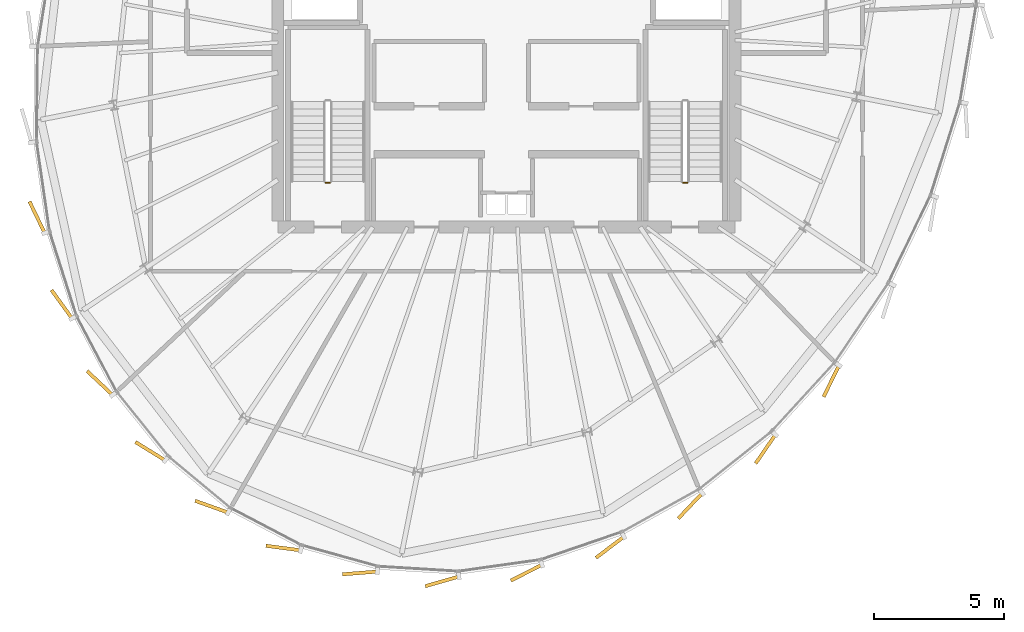
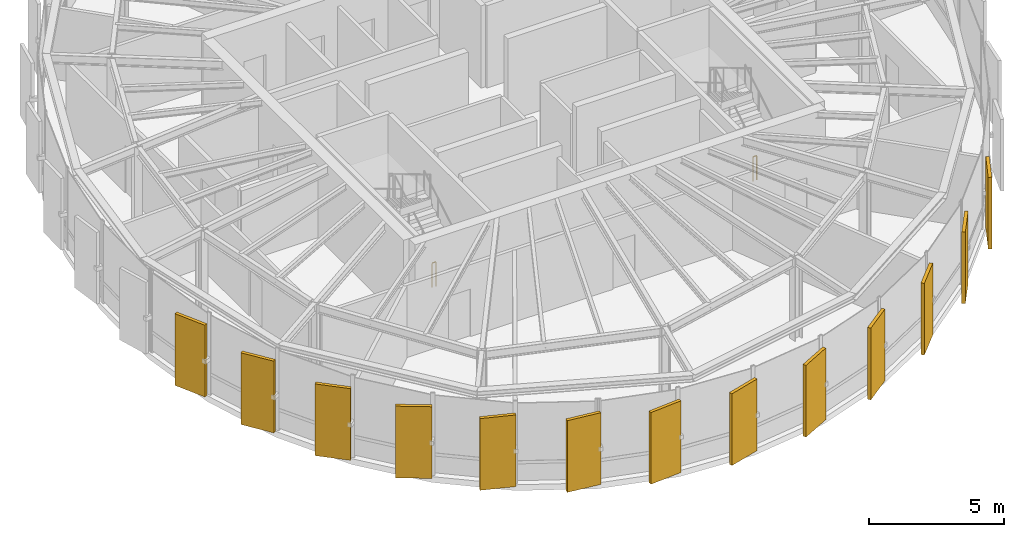
# One storey, part 25 of 27: 13 coverings, 2 railings.
"""IFC4 building model written with IfcOpenShell, lengths in metres."""

from ifc_helpers import new_model, si_unit, direction, frame, origin, origin_2d, place, context, subcontext, project, spatial, rectangle, circle, extrude, source, transform, mapped, material, layer, layer_set, type_object, element, save


model = new_model("IFC4")

# Units and contexts
model_context = context("Model", 3, precision=1e-05, world=origin(), true_north=direction((0.0, 1.0)))
body_context = subcontext(model_context, "Body", "Model", "MODEL_VIEW")
ifc_project = project(units=[si_unit("LENGTHUNIT", "METRE"), si_unit("AREAUNIT", "SQUARE_METRE"), si_unit("VOLUMEUNIT", "CUBIC_METRE"), si_unit("PLANEANGLEUNIT", "RADIAN"), si_unit("MASSUNIT", "GRAM", prefix="KILO"), si_unit("THERMODYNAMICTEMPERATUREUNIT", "KELVIN")], contexts=[model_context])

# Site, building, storey
site_placement = place(None, origin())
site = spatial("IfcSite", under=ifc_project, at=site_placement, CompositionType="ELEMENT")
building_placement = place(site_placement, origin())
building = spatial("IfcBuilding", under=site, at=building_placement, Name="Kethvar Cultural Tower", CompositionType="ELEMENT")
storey_placement = place(building_placement, frame((0.0, 0.0, 308.300048828125)))
storey = spatial("IfcBuildingStorey", under=building, at=storey_placement, Name="L82", CompositionType="ELEMENT", Elevation=308.300048828125)

# Railings
ifc_material_1 = material(Name="Steel S355J2", Category="steel")
railing_type = type_object("IfcRailingType", Name="RL-STAIR-GUARD", PredefinedType="BALUSTRADE", material=ifc_material_1)
for number, where, name in (
    (1, (40.0, 21.800048828125, 0.0), "L82 ST-01 stair guard 4"),
    (2, (53.760009765625, 21.800048828125, 0.0), "L82 ST-02 stair guard 4"),
):
    element("IfcRailing", number, at=place(storey_placement, frame(where)), inside=storey, type_object=railing_type, Name=name, PredefinedType="BALUSTRADE", context=body_context, shape_type="SweptSolid", body=[
        extrude(circle(Radius=0.02392578125, at=origin_2d()), frame((0.0, 0.0, 1.09619140625), z_axis=(-1.0, 0.0, 0.0), x_axis=(0.0, -1.0, 0.0)), (0.0, 0.0, 1.0), 0.159912109375),
        extrude(circle(Radius=0.02099609375, at=origin_2d()), origin(), (0.0, 0.0, 1.0), 1.072021484375),
        extrude(circle(Radius=0.02099609375, at=origin_2d()), frame((-0.159912109375, 0.0, 0.0)), (0.0, 0.0, 1.0), 1.072021484375),
    ])

# Coverings
ifc_material_2 = material(Name="Extruded Architectural Terracotta", Category="masonry")
ifc_layer = layer(ifc_material_2, 0.135009765625, Name="Extruded Architectural Terracotta", Category="masonry")
ifc_layer_set = layer_set([ifc_layer], Name="Extruded Architectural Terracotta (135 mm)")
covering_type = type_object("IfcCoveringType", Name="Terracotta Facade Fin FIN-03", PredefinedType="CLADDING", material=ifc_layer_set)
shared_shape = source(origin(), body_context, "Body", "SweptSolid", [
    extrude(rectangle(XDim=1.35009765625, YDim=0.135009765625, at=origin_2d()), origin(), (0.0, 0.0, 1.0), 3.25),
])
for number, where, z_axis, x_axis, name in (
    (3, (28.729736328125, 20.477783203125, 0.02001953125), (0.0, 0.0, 1.0), (-0.43428804929, 0.900774050605, 0.0), "L82 Vertical Terracotta Fin 3.2"),
    (4, (29.680419921875, 17.128662109375, 0.02001953125), (0.0, 0.0, 1.0), (-0.586372356736, 0.810041640446, 0.0), "L82 Vertical Terracotta Fin 3.3"),
    (5, (31.146728515625, 14.096435546875, 0.02001953125), (0.0, 0.0, 1.0), (-0.728610099486, 0.684928699156, 0.0), "L82 Vertical Terracotta Fin 3.4"),
    (6, (33.088134765625, 11.47119140625, 0.02001953125), (0.0, 0.0, 1.0), (-0.850811109424, 0.525471651072, 0.0), "L82 Vertical Terracotta Fin 3.5"),
    (7, (35.451171875, 9.333740234375, 0.02001953125), (0.0, 0.0, 1.0), (-0.941529364694, 0.336930935681, 0.0), "L82 Vertical Terracotta Fin 3.6"),
    (8, (38.20849609375, 7.74169921875, 0.02001953125), (0.0, 0.0, 1.0), (-0.991422065155, 0.130699230003, 0.0), "L82 Vertical Terracotta Fin 4.1"),
    (9, (41.156494140625, 6.783447265625, 0.02001953125), (0.0, 0.0, 1.0), (-0.996917333733, -0.078459095728, 0.0), "L82 Vertical Terracotta Fin 4.2"),
    (10, (44.32373046875, 6.459228515625, 0.02001953125), (0.0, 0.0, 1.0), (-0.961117240795, -0.276140633457, 0.0), "L82 Vertical Terracotta Fin 4.3"),
    (11, (47.56787109375, 6.79296875, 0.02001953125), (0.0, 0.0, 1.0), (-0.891797529605, -0.452434709312, 0.0), "L82 Vertical Terracotta Fin 4.4"),
    (12, (50.785888671875, 7.773193359375, 0.02001953125), (0.0, 0.0, 1.0), (-0.798004853043, -0.602651022168, 0.0), "L82 Vertical Terracotta Fin 4.5"),
    (13, (53.876953125, 9.3671875, 0.02001953125), (0.0, 0.0, 1.0), (-0.687848001144, -0.725854756355, 0.0), "L82 Vertical Terracotta Fin 4.6"),
    (14, (56.7744140625, 11.5537109375, 0.02001953125), (0.0, 0.0, 1.0), (-0.56669387672, -0.823928425343, 0.0), "L82 Vertical Terracotta Fin 5.1"),
    (15, (59.305908203125, 14.170654296875, 0.02001953125), (0.0, 0.0, 1.0), (-0.438214270959, -0.898870542808, 0.0), "L82 Vertical Terracotta Fin 5.2"),
):
    element("IfcCovering", number, at=place(storey_placement, frame(where, z_axis=z_axis, x_axis=x_axis)), inside=storey, type_object=covering_type, Name=name, PredefinedType="CLADDING", context=body_context, shape_type="MappedRepresentation", body=[
        mapped(shared_shape, transform((0.0, 0.0, 0.0), scale=1.0)),
    ])

save(model, "model.ifc")
